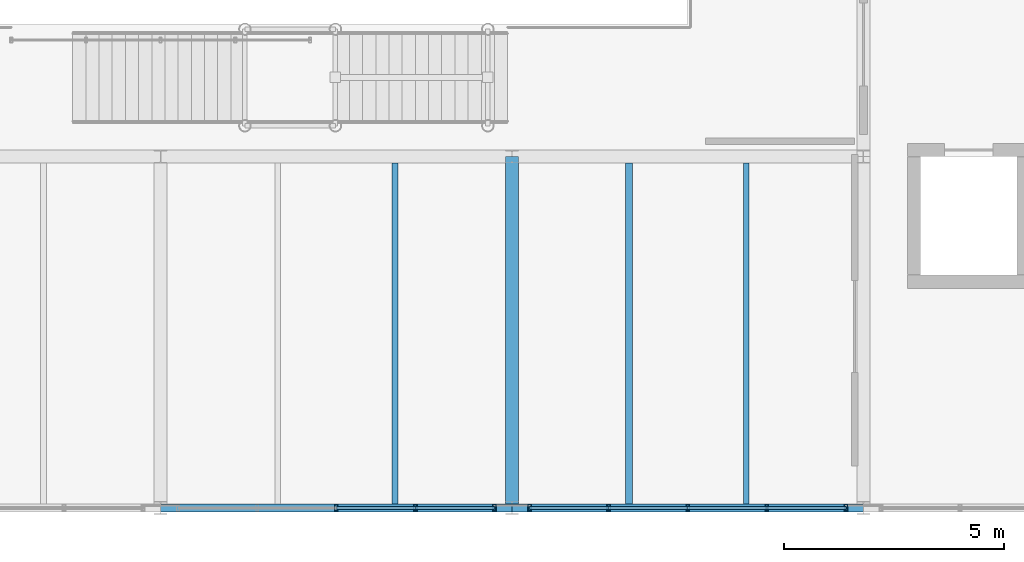
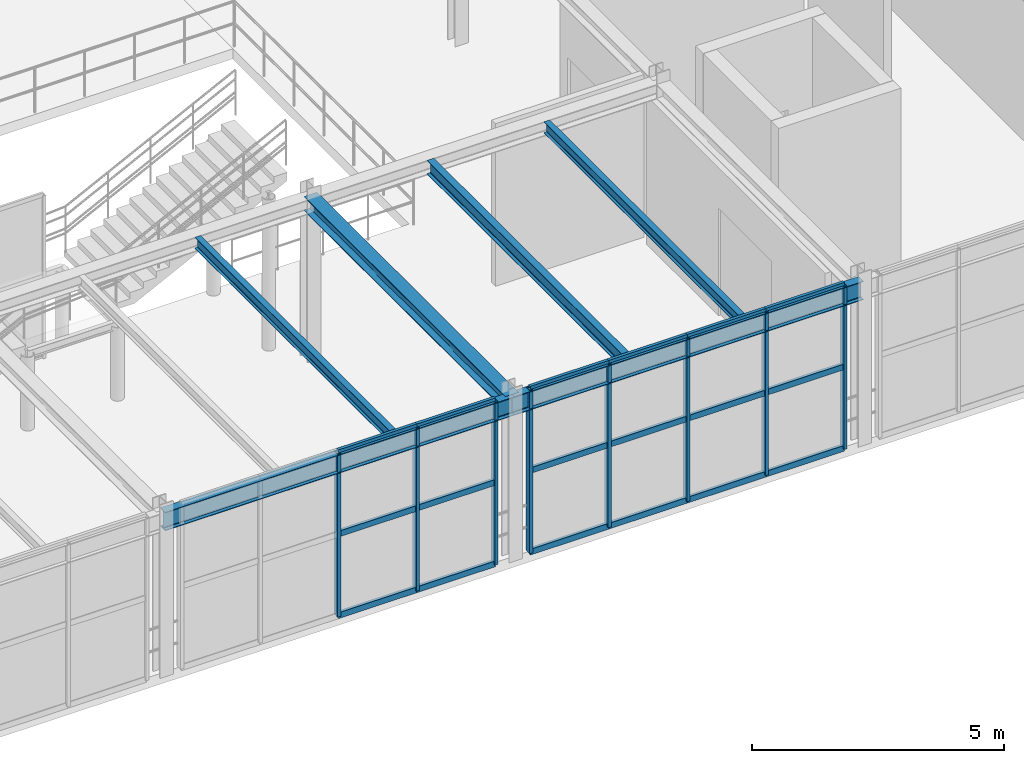
# One storey, part 39 of 124: 26 members, 6 beams, 2 elements without a shape of their own.
"""IFC4 building model written with IfcOpenShell, lengths in metres."""

from ifc_helpers import new_model, si_unit, direction, frame, origin, origin_2d, place, context, subcontext, project, spatial, hollow_rectangle, i_section, extrude, material, material_profile, profile_set, type_object, element, aggregate, save


model = new_model("IFC4")

# Units and contexts
model_context = context("Model", 3, precision=1e-05, world=origin(), true_north=direction((0.0, 1.0)))
body_context = subcontext(model_context, "Body", "Model", "MODEL_VIEW")
ifc_project = project(units=[si_unit("LENGTHUNIT", "METRE"), si_unit("AREAUNIT", "SQUARE_METRE"), si_unit("VOLUMEUNIT", "CUBIC_METRE"), si_unit("PLANEANGLEUNIT", "RADIAN"), si_unit("MASSUNIT", "GRAM", prefix="KILO")], contexts=[model_context])

# Site, building, storey
site_placement = place(None, origin())
site = spatial("IfcSite", under=ifc_project, at=site_placement, CompositionType="ELEMENT")
building_placement = place(site_placement, origin())
building = spatial("IfcBuilding", under=site, at=building_placement, Name="Sundkrona Museum", CompositionType="ELEMENT")
storey_placement = place(building_placement, frame((0.0, 0.0, 17.60009765625)))
storey = spatial("IfcBuildingStorey", under=building, at=storey_placement, Name="L03", CompositionType="ELEMENT", Elevation=17.60009765625)

# Beams
ifc_material_1 = material(Name="Steel S355J2", Category="steel")
ifc_material_profile_1 = material_profile(ifc_material_1, i_section(OverallWidth=0.300048828125, OverallDepth=0.35009765625, WebThickness=0.010009765625, FlangeThickness=0.017578125, FilletRadius=0.027099609375, at=origin_2d()), Name="HEA 360")
ifc_profile_set_1 = profile_set([ifc_material_profile_1], Name="Steel S355J2")
beam_type_1 = type_object("IfcBeamType", Name="B-HEA360", PredefinedType="BEAM", material=ifc_profile_set_1)
beam_1_placement = place(storey_placement, frame((104.0, 0.0, 3.764892578125), z_axis=(0.0, 1.0, 0.0), x_axis=(-1.0, 0.0, 0.0)))
element("IfcBeam", 1, at=beam_1_placement, inside=storey, type_object=beam_type_1, Name="L03 Girder Y-1615", PredefinedType="BEAM", context=body_context, shape_type="SweptSolid", body=[
    extrude(i_section(OverallWidth=0.300048828125, OverallDepth=0.35009765625, WebThickness=0.010009765625, FlangeThickness=0.017578125, FilletRadius=0.027099609375, at=origin_2d()), origin(), (0.0, 0.0, 1.0), 8.0),
])
ifc_material_profile_2 = material_profile(ifc_material_1, i_section(OverallWidth=0.135009765625, OverallDepth=0.27001953125, WebThickness=0.006591796875, FlangeThickness=0.01025390625, FilletRadius=0.014892578125, at=origin_2d()), Name="IPE 270")
ifc_profile_set_2 = profile_set([ifc_material_profile_2], Name="Steel S355J2")
beam_type_2 = type_object("IfcBeamType", Name="J-IPE270", PredefinedType="JOIST", material=ifc_profile_set_2)
for number, where, z_axis, x_axis, name in (
    (2, (101.333251953125, 0.089111328125, 3.804931640625), (0.0, 1.0, 0.0), (-1.0, 0.0, 0.0), "L03 Composite Joist 1057"),
    (3, (109.333251953125, 0.089111328125, 3.804931640625), (0.0, 1.0, 0.0), (-1.0, 0.0, 0.0), "L03 Composite Joist 1061"),
):
    element("IfcBeam", number, at=place(storey_placement, frame(where, z_axis=z_axis, x_axis=x_axis)), inside=storey, type_object=beam_type_2, Name=name, PredefinedType="JOIST", context=body_context, shape_type="SweptSolid", body=[
        extrude(i_section(OverallWidth=0.135009765625, OverallDepth=0.27001953125, WebThickness=0.006591796875, FlangeThickness=0.01025390625, FilletRadius=0.014892578125, at=origin_2d()), origin(), (0.0, 0.0, 1.0), 7.766845703125),
    ])
ifc_material_profile_3 = material_profile(ifc_material_1, i_section(OverallWidth=0.159912109375, OverallDepth=0.330078125, WebThickness=0.007568359375, FlangeThickness=0.011474609375, FilletRadius=0.01806640625, at=origin_2d()), Name="IPE 330")
ifc_profile_set_3 = profile_set([ifc_material_profile_3], Name="Steel S355J2")
beam_type_3 = type_object("IfcBeamType", Name="J-IPE330", PredefinedType="JOIST", material=ifc_profile_set_3)
beam_2_placement = place(storey_placement, frame((106.666748046875, 0.089111328125, 3.77490234375), z_axis=(0.0, 1.0, 0.0), x_axis=(-1.0, 0.0, 0.0)))
element("IfcBeam", 4, at=beam_2_placement, inside=storey, type_object=beam_type_3, Name="L03 Composite Joist 1060", PredefinedType="JOIST", context=body_context, shape_type="SweptSolid", body=[
    extrude(i_section(OverallWidth=0.159912109375, OverallDepth=0.330078125, WebThickness=0.007568359375, FlangeThickness=0.011474609375, FilletRadius=0.01806640625, at=origin_2d()), origin(), (0.0, 0.0, 1.0), 7.766845703125),
])

# Curtain wall, members
ifc_material_2 = material(Name="Unitised Aluminium-Steel and Ceramic-Clad Curtain Walling", Category="steel")
curtain_wall_type = type_object("IfcCurtainWallType", Name="CW-AT-72x38", PredefinedType="NOTDEFINED", material=ifc_material_2)
curtain_wall_1_placement = place(storey_placement, origin())
curtain_wall_1 = element("IfcCurtainWall", 5, at=curtain_wall_1_placement, inside=storey, type_object=curtain_wall_type, Name="L03 Curtain Wall CW-L03-062", PredefinedType="NOTDEFINED")
ifc_material_3 = material(Name="Aluminium EN AW-6060 T66", Category="aluminium")
ifc_material_profile_4 = material_profile(ifc_material_3, hollow_rectangle(XDim=0.074951171875, YDim=0.14990234375, WallThickness=0.00634765625, at=origin_2d()), Name="RHS 150x75x6.3")
ifc_profile_set_4 = profile_set([ifc_material_profile_4], Name="Aluminium EN AW-6060 T66")
member_type_1 = type_object("IfcMemberType", Name="ML-150", PredefinedType="MULLION", material=ifc_profile_set_4)
member_1_placement = place(storey_placement, frame((100.0, 0.0, -0.004150390625), z_axis=(0.0, 0.0, 1.0), x_axis=(1.0, 0.0, 0.0)))
member_1 = element("IfcMember", 6, at=member_1_placement, type_object=member_type_1, Name="CW-L03-062 Mullion 03", PredefinedType="MULLION", context=body_context, shape_type="SweptSolid", body=[
    extrude(hollow_rectangle(XDim=0.074951171875, YDim=0.14990234375, WallThickness=0.00634765625, at=origin_2d()), origin(), (0.0, 0.0, 1.0), 3.947998046875),
])
member_2_placement = place(storey_placement, frame((101.800048828125, 0.0, -0.004150390625), z_axis=(0.0, 0.0, 1.0), x_axis=(1.0, 0.0, 0.0)))
member_2 = element("IfcMember", 7, at=member_2_placement, type_object=member_type_1, Name="CW-L03-062 Mullion 04", PredefinedType="MULLION", context=body_context, shape_type="SweptSolid", body=[
    extrude(hollow_rectangle(XDim=0.074951171875, YDim=0.14990234375, WallThickness=0.00634765625, at=origin_2d()), origin(), (0.0, 0.0, 1.0), 3.947998046875),
])
member_3_placement = place(storey_placement, frame((103.60009765625, 0.0, -0.004150390625), z_axis=(0.0, 0.0, 1.0), x_axis=(1.0, 0.0, 0.0)))
member_3 = element("IfcMember", 8, at=member_3_placement, type_object=member_type_1, Name="CW-L03-062 Mullion 05", PredefinedType="MULLION", context=body_context, shape_type="SweptSolid", body=[
    extrude(hollow_rectangle(XDim=0.074951171875, YDim=0.14990234375, WallThickness=0.00634765625, at=origin_2d()), origin(), (0.0, 0.0, 1.0), 3.947998046875),
])

curtain_wall_2_placement = place(storey_placement, origin())
curtain_wall_2 = element("IfcCurtainWall", 9, at=curtain_wall_2_placement, inside=storey, type_object=curtain_wall_type, Name="L03 Curtain Wall CW-L03-063", PredefinedType="NOTDEFINED")
member_4_placement = place(storey_placement, frame((104.39990234375, 0.0, -0.004150390625), z_axis=(0.0, 0.0, 1.0), x_axis=(1.0, 0.0, 0.0)))
member_4 = element("IfcMember", 10, at=member_4_placement, type_object=member_type_1, Name="CW-L03-063 Mullion 01", PredefinedType="MULLION", context=body_context, shape_type="SweptSolid", body=[
    extrude(hollow_rectangle(XDim=0.074951171875, YDim=0.14990234375, WallThickness=0.00634765625, at=origin_2d()), origin(), (0.0, 0.0, 1.0), 3.947998046875),
])
member_5_placement = place(storey_placement, frame((106.199951171875, 0.0, -0.004150390625), z_axis=(0.0, 0.0, 1.0), x_axis=(1.0, 0.0, 0.0)))
member_5 = element("IfcMember", 11, at=member_5_placement, type_object=member_type_1, Name="CW-L03-063 Mullion 02", PredefinedType="MULLION", context=body_context, shape_type="SweptSolid", body=[
    extrude(hollow_rectangle(XDim=0.074951171875, YDim=0.14990234375, WallThickness=0.00634765625, at=origin_2d()), origin(), (0.0, 0.0, 1.0), 3.947998046875),
])
member_6_placement = place(storey_placement, frame((108.0, 0.0, -0.004150390625), z_axis=(0.0, 0.0, 1.0), x_axis=(1.0, 0.0, 0.0)))
member_6 = element("IfcMember", 12, at=member_6_placement, type_object=member_type_1, Name="CW-L03-063 Mullion 03", PredefinedType="MULLION", context=body_context, shape_type="SweptSolid", body=[
    extrude(hollow_rectangle(XDim=0.074951171875, YDim=0.14990234375, WallThickness=0.00634765625, at=origin_2d()), origin(), (0.0, 0.0, 1.0), 3.947998046875),
])
member_7_placement = place(storey_placement, frame((109.800048828125, 0.0, -0.004150390625), z_axis=(0.0, 0.0, 1.0), x_axis=(1.0, 0.0, 0.0)))
member_7 = element("IfcMember", 13, at=member_7_placement, type_object=member_type_1, Name="CW-L03-063 Mullion 04", PredefinedType="MULLION", context=body_context, shape_type="SweptSolid", body=[
    extrude(hollow_rectangle(XDim=0.074951171875, YDim=0.14990234375, WallThickness=0.00634765625, at=origin_2d()), origin(), (0.0, 0.0, 1.0), 3.947998046875),
])
member_8_placement = place(storey_placement, frame((111.60009765625, 0.0, -0.004150390625), z_axis=(0.0, 0.0, 1.0), x_axis=(1.0, 0.0, 0.0)))
member_8 = element("IfcMember", 14, at=member_8_placement, type_object=member_type_1, Name="CW-L03-063 Mullion 05", PredefinedType="MULLION", context=body_context, shape_type="SweptSolid", body=[
    extrude(hollow_rectangle(XDim=0.074951171875, YDim=0.14990234375, WallThickness=0.00634765625, at=origin_2d()), origin(), (0.0, 0.0, 1.0), 3.947998046875),
])

# Beams
ifc_material_profile_5 = material_profile(ifc_material_1, i_section(OverallWidth=0.18994140625, OverallDepth=0.449951171875, WebThickness=0.009521484375, FlangeThickness=0.0146484375, FilletRadius=0.02099609375, at=origin_2d()), Name="IPE 450")
ifc_profile_set_5 = profile_set([ifc_material_profile_5], Name="Steel S355J2")
beam_type_4 = type_object("IfcBeamType", Name="SP-IPE450", PredefinedType="SPANDREL", material=ifc_profile_set_5)
for number, where, z_axis, x_axis, name in (
    (15, (96.0, 0.0, 3.71484375), (1.0, 0.0, 0.0), (0.0, 1.0, 0.0), "L03 Girder X-1412"),
    (16, (104.0, 0.0, 3.71484375), (1.0, 0.0, 0.0), (0.0, 1.0, 0.0), "L03 Girder X-1413"),
):
    element("IfcBeam", number, at=place(storey_placement, frame(where, z_axis=z_axis, x_axis=x_axis)), inside=storey, type_object=beam_type_4, Name=name, PredefinedType="SPANDREL", context=body_context, shape_type="SweptSolid", body=[
        extrude(i_section(OverallWidth=0.18994140625, OverallDepth=0.449951171875, WebThickness=0.009521484375, FlangeThickness=0.0146484375, FilletRadius=0.02099609375, at=origin_2d()), origin(), (0.0, 0.0, 1.0), 8.0),
    ])

# Member
ifc_material_profile_6 = material_profile(ifc_material_3, hollow_rectangle(XDim=0.070068359375, YDim=0.139892578125, WallThickness=0.0048828125, at=origin_2d()), Name="RHS 140x70x5.0")
ifc_profile_set_6 = profile_set([ifc_material_profile_6], Name="Aluminium EN AW-6060 T66")
member_type_2 = type_object("IfcMemberType", Name="TR-140", PredefinedType="USERDEFINED", material=ifc_profile_set_6)
member_9_placement = place(storey_placement, frame((100.0, 0.0, -0.004150390625), z_axis=(1.0, 0.0, 0.0), x_axis=(0.0, 1.0, 0.0)))
member_9 = element("IfcMember", 17, at=member_9_placement, type_object=member_type_2, Name="CW-L03-062 Transom 07", ObjectType="TRANSOM", PredefinedType="USERDEFINED", context=body_context, shape_type="SweptSolid", body=[
    extrude(hollow_rectangle(XDim=0.070068359375, YDim=0.139892578125, WallThickness=0.0048828125, at=origin_2d()), origin(), (0.0, 0.0, 1.0), 1.800048828125),
])

member_10_placement = place(storey_placement, frame((100.0, 0.0, 1.969970703125), z_axis=(1.0, 0.0, 0.0), x_axis=(0.0, 1.0, 0.0)))
member_10 = element("IfcMember", 18, at=member_10_placement, type_object=member_type_2, Name="CW-L03-062 Transom 08", ObjectType="TRANSOM", PredefinedType="USERDEFINED", context=body_context, shape_type="SweptSolid", body=[
    extrude(hollow_rectangle(XDim=0.070068359375, YDim=0.139892578125, WallThickness=0.0048828125, at=origin_2d()), origin(), (0.0, 0.0, 1.0), 1.800048828125),
])

member_11_placement = place(storey_placement, frame((100.0, 0.0, 3.94384765625), z_axis=(1.0, 0.0, 0.0), x_axis=(0.0, 1.0, 0.0)))
member_11 = element("IfcMember", 19, at=member_11_placement, type_object=member_type_2, Name="CW-L03-062 Transom 09", ObjectType="TRANSOM", PredefinedType="USERDEFINED", context=body_context, shape_type="SweptSolid", body=[
    extrude(hollow_rectangle(XDim=0.070068359375, YDim=0.139892578125, WallThickness=0.0048828125, at=origin_2d()), origin(), (0.0, 0.0, 1.0), 1.800048828125),
])

member_12_placement = place(storey_placement, frame((101.800048828125, 0.0, -0.004150390625), z_axis=(1.0, 0.0, 0.0), x_axis=(0.0, 1.0, 0.0)))
member_12 = element("IfcMember", 20, at=member_12_placement, type_object=member_type_2, Name="CW-L03-062 Transom 10", ObjectType="TRANSOM", PredefinedType="USERDEFINED", context=body_context, shape_type="SweptSolid", body=[
    extrude(hollow_rectangle(XDim=0.070068359375, YDim=0.139892578125, WallThickness=0.0048828125, at=origin_2d()), origin(), (0.0, 0.0, 1.0), 1.800048828125),
])

member_13_placement = place(storey_placement, frame((101.800048828125, 0.0, 1.969970703125), z_axis=(1.0, 0.0, 0.0), x_axis=(0.0, 1.0, 0.0)))
member_13 = element("IfcMember", 21, at=member_13_placement, type_object=member_type_2, Name="CW-L03-062 Transom 11", ObjectType="TRANSOM", PredefinedType="USERDEFINED", context=body_context, shape_type="SweptSolid", body=[
    extrude(hollow_rectangle(XDim=0.070068359375, YDim=0.139892578125, WallThickness=0.0048828125, at=origin_2d()), origin(), (0.0, 0.0, 1.0), 1.800048828125),
])

member_14_placement = place(storey_placement, frame((101.800048828125, 0.0, 3.94384765625), z_axis=(1.0, 0.0, 0.0), x_axis=(0.0, 1.0, 0.0)))
member_14 = element("IfcMember", 22, at=member_14_placement, type_object=member_type_2, Name="CW-L03-062 Transom 12", ObjectType="TRANSOM", PredefinedType="USERDEFINED", context=body_context, shape_type="SweptSolid", body=[
    extrude(hollow_rectangle(XDim=0.070068359375, YDim=0.139892578125, WallThickness=0.0048828125, at=origin_2d()), origin(), (0.0, 0.0, 1.0), 1.800048828125),
])

aggregate(curtain_wall_1, [member_1, member_2, member_3, member_9, member_10, member_11, member_12, member_13, member_14])

member_15_placement = place(storey_placement, frame((104.39990234375, 0.0, -0.004150390625), z_axis=(1.0, 0.0, 0.0), x_axis=(0.0, 1.0, 0.0)))
member_15 = element("IfcMember", 23, at=member_15_placement, type_object=member_type_2, Name="CW-L03-063 Transom 01", ObjectType="TRANSOM", PredefinedType="USERDEFINED", context=body_context, shape_type="SweptSolid", body=[
    extrude(hollow_rectangle(XDim=0.070068359375, YDim=0.139892578125, WallThickness=0.0048828125, at=origin_2d()), origin(), (0.0, 0.0, 1.0), 1.800048828125),
])

member_16_placement = place(storey_placement, frame((104.39990234375, 0.0, 1.969970703125), z_axis=(1.0, 0.0, 0.0), x_axis=(0.0, 1.0, 0.0)))
member_16 = element("IfcMember", 24, at=member_16_placement, type_object=member_type_2, Name="CW-L03-063 Transom 02", ObjectType="TRANSOM", PredefinedType="USERDEFINED", context=body_context, shape_type="SweptSolid", body=[
    extrude(hollow_rectangle(XDim=0.070068359375, YDim=0.139892578125, WallThickness=0.0048828125, at=origin_2d()), origin(), (0.0, 0.0, 1.0), 1.800048828125),
])

member_17_placement = place(storey_placement, frame((104.39990234375, 0.0, 3.94384765625), z_axis=(1.0, 0.0, 0.0), x_axis=(0.0, 1.0, 0.0)))
member_17 = element("IfcMember", 25, at=member_17_placement, type_object=member_type_2, Name="CW-L03-063 Transom 03", ObjectType="TRANSOM", PredefinedType="USERDEFINED", context=body_context, shape_type="SweptSolid", body=[
    extrude(hollow_rectangle(XDim=0.070068359375, YDim=0.139892578125, WallThickness=0.0048828125, at=origin_2d()), origin(), (0.0, 0.0, 1.0), 1.800048828125),
])

member_18_placement = place(storey_placement, frame((106.199951171875, 0.0, -0.004150390625), z_axis=(1.0, 0.0, 0.0), x_axis=(0.0, 1.0, 0.0)))
member_18 = element("IfcMember", 26, at=member_18_placement, type_object=member_type_2, Name="CW-L03-063 Transom 04", ObjectType="TRANSOM", PredefinedType="USERDEFINED", context=body_context, shape_type="SweptSolid", body=[
    extrude(hollow_rectangle(XDim=0.070068359375, YDim=0.139892578125, WallThickness=0.0048828125, at=origin_2d()), origin(), (0.0, 0.0, 1.0), 1.800048828125),
])

member_19_placement = place(storey_placement, frame((106.199951171875, 0.0, 1.969970703125), z_axis=(1.0, 0.0, 0.0), x_axis=(0.0, 1.0, 0.0)))
member_19 = element("IfcMember", 27, at=member_19_placement, type_object=member_type_2, Name="CW-L03-063 Transom 05", ObjectType="TRANSOM", PredefinedType="USERDEFINED", context=body_context, shape_type="SweptSolid", body=[
    extrude(hollow_rectangle(XDim=0.070068359375, YDim=0.139892578125, WallThickness=0.0048828125, at=origin_2d()), origin(), (0.0, 0.0, 1.0), 1.800048828125),
])

member_20_placement = place(storey_placement, frame((106.199951171875, 0.0, 3.94384765625), z_axis=(1.0, 0.0, 0.0), x_axis=(0.0, 1.0, 0.0)))
member_20 = element("IfcMember", 28, at=member_20_placement, type_object=member_type_2, Name="CW-L03-063 Transom 06", ObjectType="TRANSOM", PredefinedType="USERDEFINED", context=body_context, shape_type="SweptSolid", body=[
    extrude(hollow_rectangle(XDim=0.070068359375, YDim=0.139892578125, WallThickness=0.0048828125, at=origin_2d()), origin(), (0.0, 0.0, 1.0), 1.800048828125),
])

member_21_placement = place(storey_placement, frame((108.0, 0.0, -0.004150390625), z_axis=(1.0, 0.0, 0.0), x_axis=(0.0, 1.0, 0.0)))
member_21 = element("IfcMember", 29, at=member_21_placement, type_object=member_type_2, Name="CW-L03-063 Transom 07", ObjectType="TRANSOM", PredefinedType="USERDEFINED", context=body_context, shape_type="SweptSolid", body=[
    extrude(hollow_rectangle(XDim=0.070068359375, YDim=0.139892578125, WallThickness=0.0048828125, at=origin_2d()), origin(), (0.0, 0.0, 1.0), 1.800048828125),
])

member_22_placement = place(storey_placement, frame((108.0, 0.0, 1.969970703125), z_axis=(1.0, 0.0, 0.0), x_axis=(0.0, 1.0, 0.0)))
member_22 = element("IfcMember", 30, at=member_22_placement, type_object=member_type_2, Name="CW-L03-063 Transom 08", ObjectType="TRANSOM", PredefinedType="USERDEFINED", context=body_context, shape_type="SweptSolid", body=[
    extrude(hollow_rectangle(XDim=0.070068359375, YDim=0.139892578125, WallThickness=0.0048828125, at=origin_2d()), origin(), (0.0, 0.0, 1.0), 1.800048828125),
])

member_23_placement = place(storey_placement, frame((108.0, 0.0, 3.94384765625), z_axis=(1.0, 0.0, 0.0), x_axis=(0.0, 1.0, 0.0)))
member_23 = element("IfcMember", 31, at=member_23_placement, type_object=member_type_2, Name="CW-L03-063 Transom 09", ObjectType="TRANSOM", PredefinedType="USERDEFINED", context=body_context, shape_type="SweptSolid", body=[
    extrude(hollow_rectangle(XDim=0.070068359375, YDim=0.139892578125, WallThickness=0.0048828125, at=origin_2d()), origin(), (0.0, 0.0, 1.0), 1.800048828125),
])

member_24_placement = place(storey_placement, frame((109.800048828125, 0.0, -0.004150390625), z_axis=(1.0, 0.0, 0.0), x_axis=(0.0, 1.0, 0.0)))
member_24 = element("IfcMember", 32, at=member_24_placement, type_object=member_type_2, Name="CW-L03-063 Transom 10", ObjectType="TRANSOM", PredefinedType="USERDEFINED", context=body_context, shape_type="SweptSolid", body=[
    extrude(hollow_rectangle(XDim=0.070068359375, YDim=0.139892578125, WallThickness=0.0048828125, at=origin_2d()), origin(), (0.0, 0.0, 1.0), 1.800048828125),
])

member_25_placement = place(storey_placement, frame((109.800048828125, 0.0, 1.969970703125), z_axis=(1.0, 0.0, 0.0), x_axis=(0.0, 1.0, 0.0)))
member_25 = element("IfcMember", 33, at=member_25_placement, type_object=member_type_2, Name="CW-L03-063 Transom 11", ObjectType="TRANSOM", PredefinedType="USERDEFINED", context=body_context, shape_type="SweptSolid", body=[
    extrude(hollow_rectangle(XDim=0.070068359375, YDim=0.139892578125, WallThickness=0.0048828125, at=origin_2d()), origin(), (0.0, 0.0, 1.0), 1.800048828125),
])

member_26_placement = place(storey_placement, frame((109.800048828125, 0.0, 3.94384765625), z_axis=(1.0, 0.0, 0.0), x_axis=(0.0, 1.0, 0.0)))
member_26 = element("IfcMember", 34, at=member_26_placement, type_object=member_type_2, Name="CW-L03-063 Transom 12", ObjectType="TRANSOM", PredefinedType="USERDEFINED", context=body_context, shape_type="SweptSolid", body=[
    extrude(hollow_rectangle(XDim=0.070068359375, YDim=0.139892578125, WallThickness=0.0048828125, at=origin_2d()), origin(), (0.0, 0.0, 1.0), 1.800048828125),
])

aggregate(curtain_wall_2, [member_4, member_5, member_6, member_7, member_8, member_15, member_16, member_17, member_18, member_19, member_20, member_21, member_22, member_23, member_24, member_25, member_26])

save(model, "model.ifc")
